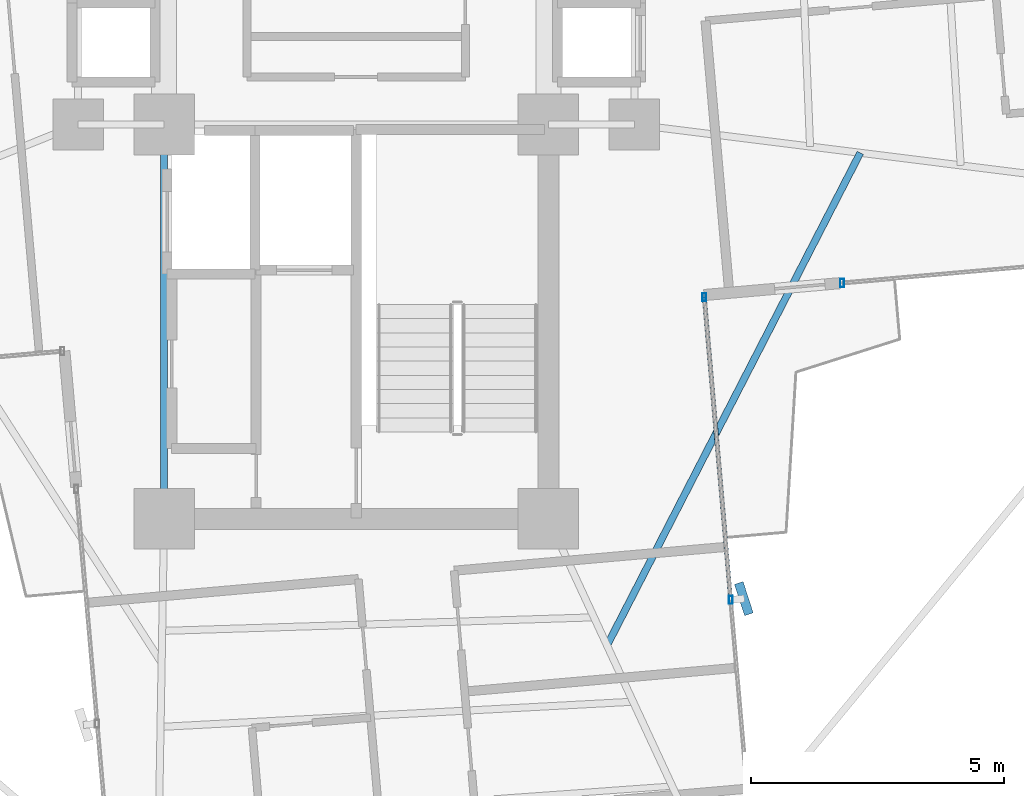
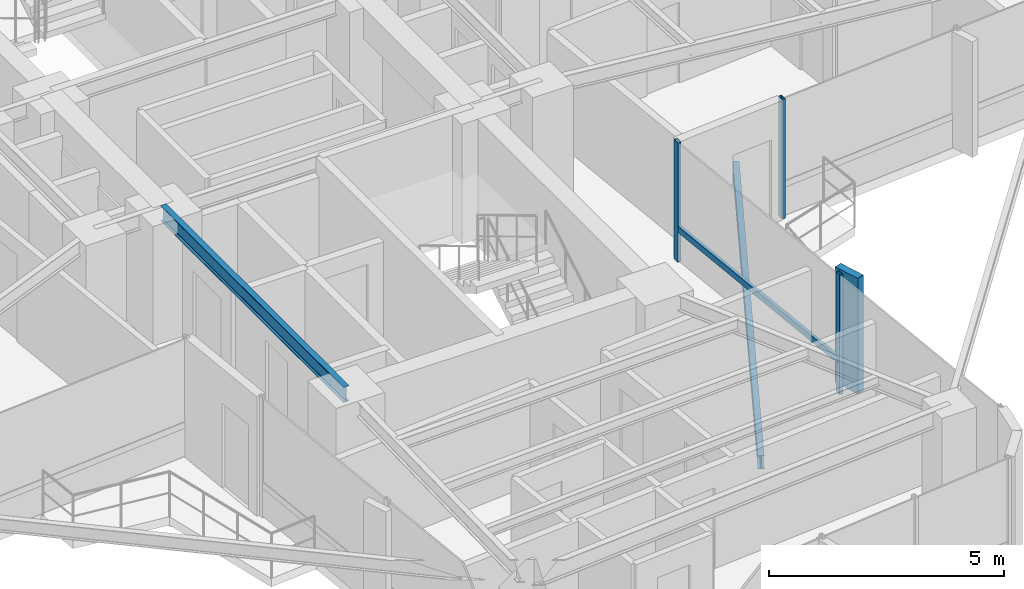
# One storey, part 7 of 24: 5 members, 2 beams, 2 elements without a shape of their own.
"""IFC4 building model written with IfcOpenShell, lengths in metres."""

from ifc_helpers import new_model, si_unit, direction, frame, origin, origin_2d, place, context, subcontext, project, spatial, rectangle, hollow_rectangle, i_section, extrude, source, transform, mapped, material, material_profile, profile_set, type_object, element, aggregate, save


model = new_model("IFC4")

# Units and contexts
model_context = context("Model", 3, precision=1e-05, world=origin(), true_north=direction((0.0, 1.0)))
body_context = subcontext(model_context, "Body", "Model", "MODEL_VIEW")
ifc_project = project(units=[si_unit("LENGTHUNIT", "METRE"), si_unit("AREAUNIT", "SQUARE_METRE"), si_unit("VOLUMEUNIT", "CUBIC_METRE"), si_unit("PLANEANGLEUNIT", "RADIAN"), si_unit("MASSUNIT", "GRAM", prefix="KILO")], contexts=[model_context])

# Site, building, storey
site_placement = place(None, origin())
site = spatial("IfcSite", under=ifc_project, at=site_placement, CompositionType="ELEMENT")
building_placement = place(site_placement, origin())
building = spatial("IfcBuilding", under=site, at=building_placement, Name="Sahyath Konkavel Grand Hotel", CompositionType="ELEMENT")
storey_placement = place(building_placement, frame((0.0, 0.0, 188.60009765625)))
storey = spatial("IfcBuildingStorey", under=building, at=storey_placement, Name="L52", CompositionType="ELEMENT", Elevation=188.60009765625)

# Beam
ifc_material_1 = material(Name="Steel E350", Category="steel")
ifc_material_profile_1 = material_profile(ifc_material_1, i_section(OverallWidth=0.139892578125, OverallDepth=0.39990234375, WebThickness=0.0087890625, FlangeThickness=0.01611328125, FilletRadius=0.013916015625, at=origin_2d()), Name="ISMB 400")
ifc_profile_set_1 = profile_set([ifc_material_profile_1], Name="Steel E350")
beam_type_1 = type_object("IfcBeamType", Name="BM-ISMB400", PredefinedType="BEAM", material=ifc_profile_set_1)
shared_shape_1 = source(origin(), body_context, "Body", "SweptSolid", [
    extrude(i_section(OverallWidth=0.139892578125, OverallDepth=0.39990234375, WebThickness=0.0087890625, FlangeThickness=0.01611328125, FilletRadius=0.013916015625, at=origin_2d()), origin(), (0.0, 0.0, 1.0), 7.800048828125),
])
beam_1_placement = place(storey_placement, frame((-3.800048828125, -10.199951171875, 2.909912109375), z_axis=(0.0, 1.0, 0.0), x_axis=(-1.0, 0.0, 0.0)))
element("IfcBeam", 1, at=beam_1_placement, inside=storey, type_object=beam_type_1, Name="str:bm:L52:SC-W", PredefinedType="BEAM", context=body_context, shape_type="MappedRepresentation", body=[
    mapped(shared_shape_1, transform((0.0, 0.0, 0.0), scale=1.0)),
])

# Curtain wall, member
ifc_material_2 = material(Name="Anodised Bronze Aluminium & Low-E Glazing", Category="aluminium")
curtain_wall_type = type_object("IfcCurtainWallType", Name="CW-ZONE3", PredefinedType="NOTDEFINED", material=ifc_material_2)
curtain_wall_1_placement = place(storey_placement, origin())
curtain_wall_1 = element("IfcCurtainWall", 2, at=curtain_wall_1_placement, inside=storey, type_object=curtain_wall_type, Name="L52 Unitised Curtain Wall F0", PredefinedType="NOTDEFINED")
ifc_material_3 = material(Name="Anodised Bronze Aluminium", Category="aluminium")
ifc_material_profile_2 = material_profile(ifc_material_3, hollow_rectangle(XDim=0.080078125, YDim=0.159912109375, WallThickness=0.006103515625, at=origin_2d()), Name="RHS 160x80x6")
ifc_profile_set_2 = profile_set([ifc_material_profile_2], Name="Anodised Bronze Aluminium")
member_type_1 = type_object("IfcMemberType", Name="CW-MUL-160", PredefinedType="MULLION", material=ifc_profile_set_2)
shared_shape_2 = source(origin(), body_context, "Body", "SweptSolid", [
    extrude(hollow_rectangle(XDim=0.080078125, YDim=0.159912109375, WallThickness=0.006103515625, at=origin_2d()), origin(), (0.0, 0.0, 1.0), 3.10986328125),
])
member_1_placement = place(storey_placement, frame((9.60888671875, -5.53369140625, 0.0), z_axis=(0.0, 0.0, 1.0), x_axis=(1.0, 0.0, 0.0)))
member_1 = element("IfcMember", 3, at=member_1_placement, type_object=member_type_1, Name="L52 Curtain Wall Mullion F0-0", PredefinedType="MULLION", context=body_context, shape_type="MappedRepresentation", body=[
    mapped(shared_shape_2, transform((0.0, 0.0, 0.0), scale=1.0)),
])
aggregate(curtain_wall_1, [member_1])

# Curtain wall, members
curtain_wall_2_placement = place(storey_placement, origin())
curtain_wall_2 = element("IfcCurtainWall", 4, at=curtain_wall_2_placement, inside=storey, type_object=curtain_wall_type, Name="L52 Unitised Curtain Wall F31", PredefinedType="NOTDEFINED")
member_2_placement = place(storey_placement, frame((7.406494140625, -11.79931640625, 0.0), z_axis=(0.0, 0.0, 1.0), x_axis=(1.0, 0.0, 0.0)))
member_2 = element("IfcMember", 5, at=member_2_placement, type_object=member_type_1, Name="L52 Curtain Wall Mullion F31-1", PredefinedType="MULLION", context=body_context, shape_type="MappedRepresentation", body=[
    mapped(shared_shape_2, transform((0.0, 0.0, 0.0), scale=1.0)),
])
member_3_placement = place(storey_placement, frame((6.8828125, -5.812255859375, 0.0), z_axis=(0.0, 0.0, 1.0), x_axis=(1.0, 0.0, 0.0)))
member_3 = element("IfcMember", 6, at=member_3_placement, type_object=member_type_1, Name="L52 Curtain Wall Mullion F31-2", PredefinedType="MULLION", context=body_context, shape_type="MappedRepresentation", body=[
    mapped(shared_shape_2, transform((0.0, 0.0, 0.0), scale=1.0)),
])
ifc_material_4 = material(Name="Warm Buff Sandstone Cladding on Concrete C50/60", Category="masonry")
ifc_material_profile_3 = material_profile(ifc_material_4, rectangle(XDim=0.179931640625, YDim=0.64990234375, at=origin_2d()), Name="FIN 180x650")
ifc_profile_set_3 = profile_set([ifc_material_profile_3], Name="Warm Buff Sandstone Cladding on Concrete C50/60")
member_type_2 = type_object("IfcMemberType", Name="FIN-SANDSTONE-650", PredefinedType="MULLION", material=ifc_profile_set_3)
shared_shape_3 = source(origin(), body_context, "Body", "SweptSolid", [
    extrude(rectangle(XDim=0.179931640625, YDim=0.64990234375, at=origin_2d()), origin(), (0.0, 0.0, 1.0), 3.010009765625),
])
member_4_placement = place(storey_placement, frame((7.66552734375, -11.776611328125, 0.0498046875), z_axis=(0.0, 0.0, 1.0), x_axis=(0.951164325631, 0.308684994204, 0.0)))
member_4 = element("IfcMember", 7, at=member_4_placement, type_object=member_type_2, Name="L52 Sandstone Vertical Solar Fin FIN F31-1", PredefinedType="MULLION", context=body_context, shape_type="MappedRepresentation", body=[
    mapped(shared_shape_3, transform((0.0, 0.0, 0.0), scale=1.0)),
])
ifc_material_profile_4 = material_profile(ifc_material_3, hollow_rectangle(XDim=0.080078125, YDim=0.159912109375, WallThickness=0.006103515625, at=origin_2d()), Name="RHS 160x80x6")
ifc_profile_set_4 = profile_set([ifc_material_profile_4], Name="Anodised Bronze Aluminium")
member_type_3 = type_object("IfcMemberType", Name="CW-TRN-160", PredefinedType="USERDEFINED", material=ifc_profile_set_4)
shared_shape_4 = source(origin(), body_context, "Body", "SweptSolid", [
    extrude(hollow_rectangle(XDim=0.080078125, YDim=0.159912109375, WallThickness=0.006103515625, at=origin_2d()), origin(), (0.0, 0.0, 1.0), 6.010009765625),
])
member_5_placement = place(storey_placement, frame((7.406494140625, -11.79931640625, 0.849853515625), z_axis=(-0.087136210597, 0.996196406741, 0.0), x_axis=(-0.996196406741, -0.087136210597, 0.0)))
member_5 = element("IfcMember", 8, at=member_5_placement, type_object=member_type_3, Name="L52 Curtain Wall Transom F31-1-spandrel", ObjectType="TRANSOM", PredefinedType="USERDEFINED", context=body_context, shape_type="MappedRepresentation", body=[
    mapped(shared_shape_4, transform((0.0, 0.0, 0.0), scale=1.0)),
])
aggregate(curtain_wall_2, [member_2, member_4, member_3, member_5])

# Beam
ifc_material_profile_5 = material_profile(ifc_material_1, i_section(OverallWidth=0.139892578125, OverallDepth=0.35009765625, WebThickness=0.008056640625, FlangeThickness=0.01416015625, FilletRadius=0.013916015625, at=origin_2d()), Name="ISMB 350")
ifc_profile_set_5 = profile_set([ifc_material_profile_5], Name="Steel E350")
beam_type_2 = type_object("IfcBeamType", Name="BM-BALC-CANT", PredefinedType="BEAM", material=ifc_profile_set_5)
shared_shape_5 = source(origin(), body_context, "Body", "SweptSolid", [
    extrude(i_section(OverallWidth=0.139892578125, OverallDepth=0.35009765625, WebThickness=0.008056640625, FlangeThickness=0.01416015625, FilletRadius=0.013916015625, at=origin_2d()), origin(), (0.0, 0.0, 1.0), 10.95556640625),
])
beam_2_placement = place(storey_placement, frame((4.959716796875, -12.703125, -0.4150390625), z_axis=(0.457186878355, 0.889370652912, 0.0), x_axis=(-0.889370652912, 0.457186878355, 0.0)))
element("IfcBeam", 9, at=beam_2_placement, inside=storey, type_object=beam_type_2, Name="L52 Balcony Cantilever Support Beam SE", PredefinedType="BEAM", context=body_context, shape_type="MappedRepresentation", body=[
    mapped(shared_shape_5, transform((0.0, 0.0, 0.0), scale=1.0)),
])

save(model, "model.ifc")
